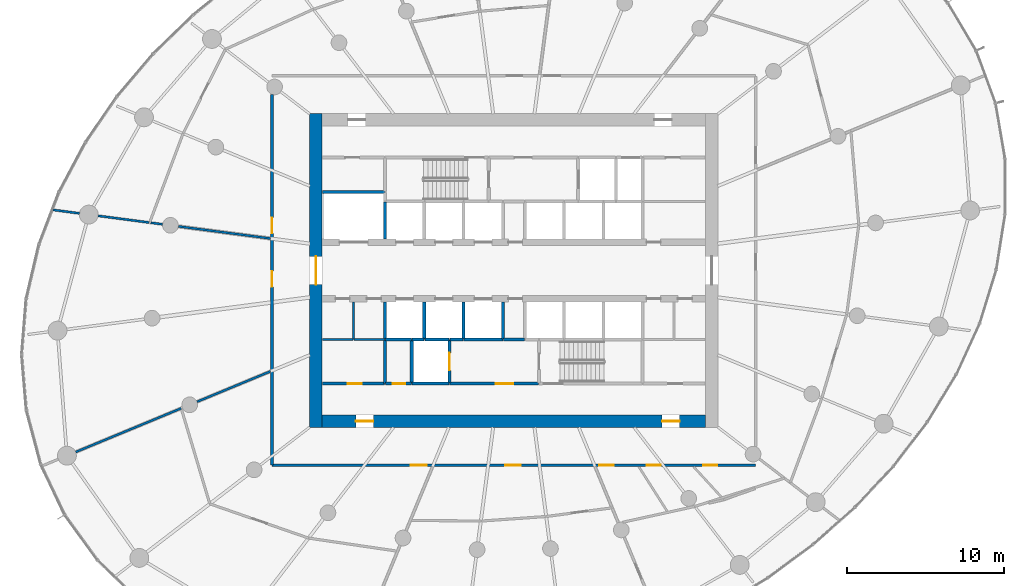
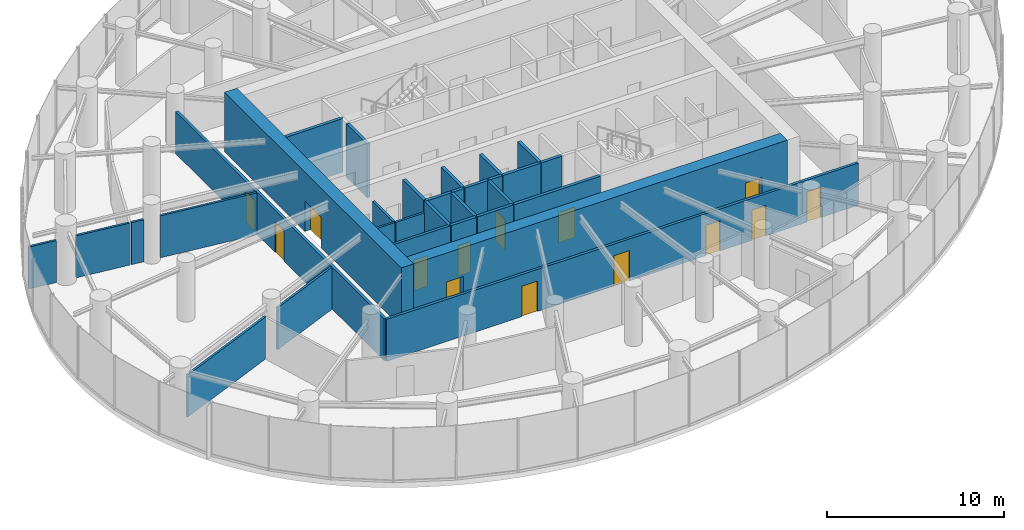
# One storey, part 10 of 17: 32 walls, 14 doors, 14 openings.
"""IFC4 building model written with IfcOpenShell, lengths in metres."""

from ifc_helpers import new_model, si_unit, direction, frame, frame_2d, origin, place, context, subcontext, project, spatial, rectangle, extrude, source, transform, mapped, material, layer, layer_set, type_object, element, fill, save


model = new_model("IFC4")

# Units and contexts
model_context = context("Model", 3, precision=1e-05, world=origin(), true_north=direction((0.0, 1.0)))
body_context = subcontext(model_context, "Body", "Model", "MODEL_VIEW")
ifc_project = project(units=[si_unit("LENGTHUNIT", "METRE"), si_unit("AREAUNIT", "SQUARE_METRE"), si_unit("VOLUMEUNIT", "CUBIC_METRE"), si_unit("PLANEANGLEUNIT", "RADIAN"), si_unit("MASSUNIT", "GRAM", prefix="KILO")], contexts=[model_context])

# Site, building, storey
site_placement = place(None, origin())
site = spatial("IfcSite", under=ifc_project, at=site_placement, CompositionType="ELEMENT")
building_placement = place(site_placement, origin())
building = spatial("IfcBuilding", under=site, at=building_placement, Name="Spindrift Exchange Tower", CompositionType="ELEMENT")
storey_placement = place(building_placement, frame((0.0, 0.0, 96.199951171875)))
storey = spatial("IfcBuildingStorey", under=building, at=storey_placement, Name="L22", CompositionType="ELEMENT", Elevation=96.199951171875)

# Wall, opening, door
ifc_material_1 = material(Name="Concrete 65 MPa", Category="concrete")
ifc_layer_1 = layer(ifc_material_1, 0.800048828125)
ifc_layer_set_1 = layer_set([ifc_layer_1], Name="RC Core Wall 800 Concrete 65 MPa")
wall_type_1 = type_object("IfcWallType", Name="RC Core Wall 800 Concrete 65 MPa", PredefinedType="SHEAR", material=ifc_layer_set_1)
wall_1_placement = place(storey_placement, frame((39.39990234375, 58.0, 0.0), z_axis=(0.0, 0.0, 1.0), x_axis=(0.0, -1.0, 0.0)))
wall_1 = element("IfcWall", 1, at=wall_1_placement, inside=storey, type_object=wall_type_1, Name="Core wall W L22", PredefinedType="SHEAR", context=body_context, shape_type="SweptSolid", body=[
    extrude(rectangle(XDim=20.0, YDim=0.800048828125, at=frame_2d((10.0, 0.0))), origin(), (0.0, 0.0, 1.0), 4.10009765625),
])
opening_1_placement = place(wall_1_placement, frame((9.10009765625, 0.0, 0.0)))
opening_1 = element("IfcOpeningElement", 2, at=opening_1_placement, cuts=wall_1, Name="Opening L22-D1", PredefinedType="OPENING", context=body_context, shape_type="SweptSolid", body=[
    extrude(rectangle(XDim=1.800048828125, YDim=2.10009765625, at=frame_2d((0.89990234375, 1.050048828125))), frame((0.0, 0.409912109375, 0.0), z_axis=(0.0, -1.0, 0.0), x_axis=(1.0, 0.0, 0.0)), (0.0, 0.0, 1.0), 0.820068359375),
])
ifc_material_2 = material(Name="Timber-core fire door", Category="wood")
door_type_1 = type_object("IfcDoorType", Name="DR-LOBBY-1800", OperationType="NOTDEFINED", PredefinedType="DOOR", material=ifc_material_2)
shared_shape_1 = source(origin(), body_context, "Body", "SweptSolid", [
    extrude(rectangle(XDim=1.800048828125, YDim=2.10009765625, at=frame_2d((0.89990234375, 1.050048828125))), frame((0.0, 0.02490234375, 0.0), z_axis=(0.0, -1.0, 0.0), x_axis=(1.0, 0.0, 0.0)), (0.0, 0.0, 1.0), 0.050048828125),
])
door_1_placement = place(opening_1_placement, origin())
door_1 = element("IfcDoor", 3, at=door_1_placement, inside=storey, type_object=door_type_1, Name="L22 Lobby door 1", OperationType="SINGLE_SWING_RIGHT", OverallHeight=2.10009765625, OverallWidth=1.800048828125, PredefinedType="DOOR", context=body_context, shape_type="MappedRepresentation", body=[
    mapped(shared_shape_1, transform((0.0, 0.0, 0.0), scale=1.0)),
])
fill(opening_1, door_1)

# Wall, openings, doors
wall_2_placement = place(storey_placement, frame((39.800048828125, 38.39990234375, 0.0), z_axis=(0.0, 0.0, 1.0), x_axis=(1.0, 0.0, 0.0)))
wall_2 = element("IfcWall", 4, at=wall_2_placement, inside=storey, type_object=wall_type_1, Name="Core wall S L22", PredefinedType="SHEAR", context=body_context, shape_type="SweptSolid", body=[
    extrude(rectangle(XDim=24.39990234375, YDim=0.800048828125, at=frame_2d((12.199951171875, 0.0))), origin(), (0.0, 0.0, 1.0), 4.10009765625),
])
opening_2_placement = place(wall_2_placement, frame((21.64990234375, 0.0, 0.0)))
opening_2 = element("IfcOpeningElement", 5, at=opening_2_placement, cuts=wall_2, Name="Opening L22-D22", PredefinedType="OPENING", context=body_context, shape_type="SweptSolid", body=[
    extrude(rectangle(XDim=1.10009765625, YDim=2.10009765625, at=frame_2d((0.550048828125, 1.050048828125))), frame((0.0, 0.409912109375, 0.0), z_axis=(0.0, -1.0, 0.0), x_axis=(1.0, 0.0, 0.0)), (0.0, 0.0, 1.0), 0.820068359375),
])
opening_3_placement = place(wall_2_placement, frame((2.14990234375, 0.0, 0.0)))
opening_3 = element("IfcOpeningElement", 6, at=opening_3_placement, cuts=wall_2, Name="Opening L22-D23", PredefinedType="OPENING", context=body_context, shape_type="SweptSolid", body=[
    extrude(rectangle(XDim=1.10009765625, YDim=2.10009765625, at=frame_2d((0.550048828125, 1.050048828125))), frame((0.0, 0.409912109375, 0.0), z_axis=(0.0, -1.0, 0.0), x_axis=(1.0, 0.0, 0.0)), (0.0, 0.0, 1.0), 0.820068359375),
])
ifc_material_3 = material(Name="Steel fire door", Category="steel")
door_type_2 = type_object("IfcDoorType", Name="DR-STAIR-1100", OperationType="NOTDEFINED", PredefinedType="DOOR", material=ifc_material_3)
shared_shape_2 = source(origin(), body_context, "Body", "SweptSolid", [
    extrude(rectangle(XDim=1.10009765625, YDim=2.10009765625, at=frame_2d((0.550048828125, 1.050048828125))), frame((0.0, 0.02490234375, 0.0), z_axis=(0.0, -1.0, 0.0), x_axis=(1.0, 0.0, 0.0)), (0.0, 0.0, 1.0), 0.050048828125),
])
door_2_placement = place(opening_2_placement, origin())
door_2 = element("IfcDoor", 7, at=door_2_placement, inside=storey, type_object=door_type_2, Name="L22 Stair door 22", OperationType="SINGLE_SWING_LEFT", OverallHeight=2.10009765625, OverallWidth=1.10009765625, PredefinedType="DOOR", context=body_context, shape_type="MappedRepresentation", body=[
    mapped(shared_shape_2, transform((0.0, 0.0, 0.0), scale=1.0)),
])
fill(opening_2, door_2)
door_3_placement = place(opening_3_placement, origin())
door_3 = element("IfcDoor", 8, at=door_3_placement, inside=storey, type_object=door_type_2, Name="L22 Stair door 23", OperationType="SINGLE_SWING_RIGHT", OverallHeight=2.10009765625, OverallWidth=1.10009765625, PredefinedType="DOOR", context=body_context, shape_type="MappedRepresentation", body=[
    mapped(shared_shape_2, transform((0.0, 0.0, 0.0), scale=1.0)),
])
fill(opening_3, door_3)

ifc_material_4 = material(Name="Fire-rated plasterboard partition", Category="gypsum")
ifc_layer_2 = layer(ifc_material_4, 0.179931640625)
ifc_layer_set_2 = layer_set([ifc_layer_2], Name="W-CORR-180")
wall_type_2 = type_object("IfcWallType", Name="W-CORR-180", PredefinedType="PARTITIONING", material=ifc_layer_set_2)
wall_3_placement = place(storey_placement, frame((67.39990234375, 35.60009765625, 0.0), z_axis=(0.0, 0.0, 1.0), x_axis=(-1.0, 0.0, 0.0)))
wall_3 = element("IfcWall", 9, at=wall_3_placement, inside=storey, type_object=wall_type_2, Name="L22 Partition wall 57", PredefinedType="PARTITIONING", context=body_context, shape_type="SweptSolid", body=[
    extrude(rectangle(XDim=30.7998046875, YDim=0.179931640625, at=frame_2d((15.39990234375, 0.0))), origin(), (0.0, 0.0, 1.0), 2.900146484375),
])
opening_4_placement = place(wall_3_placement, frame((9.050048828125, 0.0, 0.0)))
opening_4 = element("IfcOpeningElement", 10, at=opening_4_placement, cuts=wall_3, Name="Opening L22-D24", PredefinedType="OPENING", context=body_context, shape_type="SweptSolid", body=[
    extrude(rectangle(XDim=0.89990234375, YDim=2.10009765625, at=frame_2d((0.449951171875, 1.050048828125))), frame((0.0, 0.099853515625, 0.0), z_axis=(0.0, -1.0, 0.0), x_axis=(1.0, 0.0, 0.0)), (0.0, 0.0, 1.0), 0.199951171875),
])
opening_5_placement = place(wall_3_placement, frame((6.050048828125, 0.0, 0.0)))
opening_5 = element("IfcOpeningElement", 11, at=opening_5_placement, cuts=wall_3, Name="Opening L22-D25", PredefinedType="OPENING", context=body_context, shape_type="SweptSolid", body=[
    extrude(rectangle(XDim=0.89990234375, YDim=2.10009765625, at=frame_2d((0.449951171875, 1.050048828125))), frame((0.0, 0.099853515625, 0.0), z_axis=(0.0, -1.0, 0.0), x_axis=(1.0, 0.0, 0.0)), (0.0, 0.0, 1.0), 0.199951171875),
])
opening_6_placement = place(wall_3_placement, frame((2.449951171875, 0.0, 0.0)))
opening_6 = element("IfcOpeningElement", 12, at=opening_6_placement, cuts=wall_3, Name="Opening L22-D26", PredefinedType="OPENING", context=body_context, shape_type="SweptSolid", body=[
    extrude(rectangle(XDim=0.89990234375, YDim=2.10009765625, at=frame_2d((0.449951171875, 1.050048828125))), frame((0.0, 0.099853515625, 0.0), z_axis=(0.0, -1.0, 0.0), x_axis=(1.0, 0.0, 0.0)), (0.0, 0.0, 1.0), 0.199951171875),
])
opening_7_placement = place(wall_3_placement, frame((20.949951171875, 0.0, 0.0)))
opening_7 = element("IfcOpeningElement", 13, at=opening_7_placement, cuts=wall_3, Name="Opening L22-D39", PredefinedType="OPENING", context=body_context, shape_type="SweptSolid", body=[
    extrude(rectangle(XDim=1.0, YDim=2.10009765625, at=frame_2d((0.5, 1.050048828125))), frame((0.0, 0.099853515625, 0.0), z_axis=(0.0, -1.0, 0.0), x_axis=(1.0, 0.0, 0.0)), (0.0, 0.0, 1.0), 0.199951171875),
])
opening_8_placement = place(wall_3_placement, frame((14.949951171875, 0.0, 0.0)))
opening_8 = element("IfcOpeningElement", 14, at=opening_8_placement, cuts=wall_3, Name="Opening L22-D41", PredefinedType="OPENING", context=body_context, shape_type="SweptSolid", body=[
    extrude(rectangle(XDim=1.0, YDim=2.10009765625, at=frame_2d((0.5, 1.050048828125))), frame((0.0, 0.099853515625, 0.0), z_axis=(0.0, -1.0, 0.0), x_axis=(1.0, 0.0, 0.0)), (0.0, 0.0, 1.0), 0.199951171875),
])
door_type_3 = type_object("IfcDoorType", Name="DR-ROOM-1000", OperationType="NOTDEFINED", PredefinedType="DOOR", material=ifc_material_2)
shared_shape_3 = source(origin(), body_context, "Body", "SweptSolid", [
    extrude(rectangle(XDim=1.0, YDim=2.10009765625, at=frame_2d((0.5, 1.050048828125))), frame((0.0, 0.02490234375, 0.0), z_axis=(0.0, -1.0, 0.0), x_axis=(1.0, 0.0, 0.0)), (0.0, 0.0, 1.0), 0.050048828125),
])
door_4_placement = place(opening_7_placement, origin())
door_4 = element("IfcDoor", 15, at=door_4_placement, inside=storey, type_object=door_type_3, Name="L22 Door 39", OperationType="SINGLE_SWING_RIGHT", OverallHeight=2.10009765625, OverallWidth=1.0, PredefinedType="DOOR", context=body_context, shape_type="MappedRepresentation", body=[
    mapped(shared_shape_3, transform((0.0, 0.0, 0.0), scale=1.0)),
])
fill(opening_7, door_4)
door_5_placement = place(opening_8_placement, origin())
door_5 = element("IfcDoor", 16, at=door_5_placement, inside=storey, type_object=door_type_3, Name="L22 Door 41", OperationType="SINGLE_SWING_RIGHT", OverallHeight=2.10009765625, OverallWidth=1.0, PredefinedType="DOOR", context=body_context, shape_type="MappedRepresentation", body=[
    mapped(shared_shape_3, transform((0.0, 0.0, 0.0), scale=1.0)),
])
fill(opening_8, door_5)
ifc_material_5 = material(Name="Laminate washroom door", Category="wood")
door_type_4 = type_object("IfcDoorType", Name="DR-WC-900", OperationType="NOTDEFINED", PredefinedType="DOOR", material=ifc_material_5)
shared_shape_4 = source(origin(), body_context, "Body", "SweptSolid", [
    extrude(rectangle(XDim=0.89990234375, YDim=2.10009765625, at=frame_2d((0.449951171875, 1.050048828125))), frame((0.0, 0.02490234375, 0.0), z_axis=(0.0, -1.0, 0.0), x_axis=(1.0, 0.0, 0.0)), (0.0, 0.0, 1.0), 0.050048828125),
])
door_6_placement = place(opening_4_placement, origin())
door_6 = element("IfcDoor", 17, at=door_6_placement, inside=storey, type_object=door_type_4, Name="L22 WC door 24", OperationType="SINGLE_SWING_LEFT", OverallHeight=2.10009765625, OverallWidth=0.89990234375, PredefinedType="DOOR", context=body_context, shape_type="MappedRepresentation", body=[
    mapped(shared_shape_4, transform((0.0, 0.0, 0.0), scale=1.0)),
])
fill(opening_4, door_6)
door_7_placement = place(opening_5_placement, origin())
door_7 = element("IfcDoor", 18, at=door_7_placement, inside=storey, type_object=door_type_4, Name="L22 WC door 25", OperationType="SINGLE_SWING_RIGHT", OverallHeight=2.10009765625, OverallWidth=0.89990234375, PredefinedType="DOOR", context=body_context, shape_type="MappedRepresentation", body=[
    mapped(shared_shape_4, transform((0.0, 0.0, 0.0), scale=1.0)),
])
fill(opening_5, door_7)
door_8_placement = place(opening_6_placement, origin())
door_8 = element("IfcDoor", 19, at=door_8_placement, inside=storey, type_object=door_type_4, Name="L22 WC door 26", OperationType="SINGLE_SWING_LEFT", OverallHeight=2.10009765625, OverallWidth=0.89990234375, PredefinedType="DOOR", context=body_context, shape_type="MappedRepresentation", body=[
    mapped(shared_shape_4, transform((0.0, 0.0, 0.0), scale=1.0)),
])
fill(opening_6, door_8)

# Wall, opening, door
wall_4_placement = place(storey_placement, frame((39.820068359375, 40.800048828125, 0.0), z_axis=(0.0, 0.0, 1.0), x_axis=(1.0, 0.0, 0.0)))
wall_4 = element("IfcWall", 20, at=wall_4_placement, inside=storey, type_object=wall_type_2, Name="L22 Partition wall 63", PredefinedType="PARTITIONING", context=body_context, shape_type="SweptSolid", body=[
    extrude(rectangle(XDim=3.949951171875, YDim=0.179931640625, at=frame_2d((1.97509765625, 0.0))), origin(), (0.0, 0.0, 1.0), 3.699951171875),
])
opening_9_placement = place(wall_4_placement, frame((1.60009765625, 0.0, 0.0)))
opening_9 = element("IfcOpeningElement", 21, at=opening_9_placement, cuts=wall_4, Name="Opening L22-D44", PredefinedType="OPENING", context=body_context, shape_type="SweptSolid", body=[
    extrude(rectangle(XDim=0.89990234375, YDim=2.10009765625, at=frame_2d((0.449951171875, 1.050048828125))), frame((0.0, 0.099853515625, 0.0), z_axis=(0.0, -1.0, 0.0), x_axis=(1.0, 0.0, 0.0)), (0.0, 0.0, 1.0), 0.199951171875),
])
ifc_material_6 = material(Name="Steel access door", Category="steel")
door_type_5 = type_object("IfcDoorType", Name="DR-RISER-900", OperationType="NOTDEFINED", PredefinedType="DOOR", material=ifc_material_6)
shared_shape_5 = source(origin(), body_context, "Body", "SweptSolid", [
    extrude(rectangle(XDim=0.89990234375, YDim=2.10009765625, at=frame_2d((0.449951171875, 1.050048828125))), frame((0.0, 0.02490234375, 0.0), z_axis=(0.0, -1.0, 0.0), x_axis=(1.0, 0.0, 0.0)), (0.0, 0.0, 1.0), 0.050048828125),
])
door_9_placement = place(opening_9_placement, origin())
door_9 = element("IfcDoor", 22, at=door_9_placement, inside=storey, type_object=door_type_5, Name="L22 Riser door 44", OperationType="SINGLE_SWING_LEFT", OverallHeight=2.10009765625, OverallWidth=0.89990234375, PredefinedType="DOOR", context=body_context, shape_type="MappedRepresentation", body=[
    mapped(shared_shape_5, transform((0.0, 0.0, 0.0), scale=1.0)),
])
fill(opening_9, door_9)

# Walls
ifc_layer_3 = layer(ifc_material_4, 0.139892578125)
ifc_layer_set_3 = layer_set([ifc_layer_3], Name="W-PART-140")
wall_type_3 = type_object("IfcWallType", Name="W-PART-140", PredefinedType="PARTITIONING", material=ifc_layer_set_3)
wall_5_placement = place(storey_placement, frame((41.800048828125, 43.60009765625, 0.0), z_axis=(0.0, 0.0, 1.0), x_axis=(0.0, 1.0, 0.0)))
element("IfcWall", 23, at=wall_5_placement, inside=storey, type_object=wall_type_3, Name="L22 Partition wall 106", PredefinedType="PARTITIONING", context=body_context, shape_type="SweptSolid", body=[
    extrude(rectangle(XDim=2.389892578125, YDim=0.139892578125, at=frame_2d((1.19482421875, 0.0))), origin(), (0.0, 0.0, 1.0), 2.900146484375),
])
wall_6_placement = place(storey_placement, frame((43.77001953125, 43.60009765625, 0.0), z_axis=(0.0, 0.0, 1.0), x_axis=(-1.0, 0.0, 0.0)))
element("IfcWall", 24, at=wall_6_placement, inside=storey, type_object=wall_type_3, Name="L22 Partition wall 108", PredefinedType="PARTITIONING", context=body_context, shape_type="SweptSolid", body=[
    extrude(rectangle(XDim=1.93994140625, YDim=0.139892578125, at=frame_2d((0.969970703125, 0.0))), origin(), (0.0, 0.0, 1.0), 2.900146484375),
])
wall_7_placement = place(storey_placement, frame((41.77001953125, 43.60009765625, 0.0), z_axis=(0.0, 0.0, 1.0), x_axis=(-1.0, 0.0, 0.0)))
element("IfcWall", 25, at=wall_7_placement, inside=storey, type_object=wall_type_3, Name="L22 Partition wall 111", PredefinedType="PARTITIONING", context=body_context, shape_type="SweptSolid", body=[
    extrude(rectangle(XDim=1.949951171875, YDim=0.139892578125, at=frame_2d((0.97509765625, 0.0))), origin(), (0.0, 0.0, 1.0), 2.900146484375),
])
ifc_layer_4 = layer(ifc_material_4, 0.139892578125)
ifc_layer_set_4 = layer_set([ifc_layer_4], Name="W-PLANT-140")
wall_type_4 = type_object("IfcWallType", Name="W-PLANT-140", PredefinedType="PARTITIONING", material=ifc_layer_set_4)
wall_8_placement = place(storey_placement, frame((30.8203125, 39.22705078125, 0.0), z_axis=(0.0, 0.0, 1.0), x_axis=(-0.923877674765, -0.382687917331, 0.0)))
element("IfcWall", 26, at=wall_8_placement, inside=storey, type_object=wall_type_4, Name="L22 Partition wall 65", PredefinedType="PARTITIONING", context=body_context, shape_type="SweptSolid", body=[
    extrude(rectangle(XDim=7.270263671875, YDim=0.139892578125, at=frame_2d((3.63525390625, 0.0))), origin(), (0.0, 0.0, 1.0), 2.900146484375),
])
wall_9_placement = place(storey_placement, frame((36.510009765625, 50.039306640625, 0.0), z_axis=(0.0, 0.0, 1.0), x_axis=(-0.991445034615, 0.130524876315, 0.0)))
element("IfcWall", 27, at=wall_9_placement, inside=storey, type_object=wall_type_4, Name="L22 Partition wall 75", PredefinedType="PARTITIONING", context=body_context, shape_type="SweptSolid", body=[
    extrude(rectangle(XDim=5.923828125, YDim=0.139892578125, at=frame_2d((2.9619140625, 0.0))), origin(), (0.0, 0.0, 1.0), 2.900146484375),
])
wall_10_placement = place(storey_placement, frame((36.510009765625, 41.583740234375, 0.0), z_axis=(0.0, 0.0, 1.0), x_axis=(-0.923890025086, -0.382658100067, 0.0)))
element("IfcWall", 28, at=wall_10_placement, inside=storey, type_object=wall_type_4, Name="L22 Partition wall 85", PredefinedType="PARTITIONING", context=body_context, shape_type="SweptSolid", body=[
    extrude(rectangle(XDim=5.068359375, YDim=0.139892578125, at=frame_2d((2.5341796875, 0.0))), origin(), (0.0, 0.0, 1.0), 2.900146484375),
])
wall_11_placement = place(storey_placement, frame((28.8828125, 51.04345703125, 0.0), z_axis=(0.0, 0.0, 1.0), x_axis=(0.991425859851, -0.130670442021, 0.0)))
element("IfcWall", 29, at=wall_11_placement, inside=storey, type_object=wall_type_4, Name="L22 Partition wall 97", PredefinedType="PARTITIONING", context=body_context, shape_type="SweptSolid", body=[
    extrude(rectangle(XDim=0.760498046875, YDim=0.139892578125, at=frame_2d((0.38037109375, 0.0))), origin(), (0.0, 0.0, 1.0), 2.900146484375),
])
wall_12_placement = place(storey_placement, frame((25.53466796875, 51.484130859375, 0.0), z_axis=(0.0, 0.0, 1.0), x_axis=(0.991444651245, -0.130527788296, 0.0)))
element("IfcWall", 30, at=wall_12_placement, inside=storey, type_object=wall_type_4, Name="L22 Partition wall 98", PredefinedType="PARTITIONING", context=body_context, shape_type="SweptSolid", body=[
    extrude(rectangle(XDim=3.275146484375, YDim=0.139892578125, at=frame_2d((1.6376953125, 0.0))), origin(), (0.0, 0.0, 1.0), 2.900146484375),
])
wall_13_placement = place(storey_placement, frame((24.336181640625, 51.64208984375, 0.0), z_axis=(0.0, 0.0, 1.0), x_axis=(-0.991440556446, 0.13055888723, 0.0)))
element("IfcWall", 31, at=wall_13_placement, inside=storey, type_object=wall_type_4, Name="L22 Partition wall 113", PredefinedType="PARTITIONING", context=body_context, shape_type="SweptSolid", body=[
    extrude(rectangle(XDim=1.694091796875, YDim=0.139892578125, at=frame_2d((0.84716796875, 0.0))), origin(), (0.0, 0.0, 1.0), 2.900146484375),
])

# Wall, openings, doors
ifc_layer_5 = layer(ifc_material_4, 0.179931640625)
ifc_layer_set_5 = layer_set([ifc_layer_5], Name="W-PLANT-180")
wall_type_5 = type_object("IfcWallType", Name="W-PLANT-180", PredefinedType="PARTITIONING", material=ifc_layer_set_5)
wall_14_placement = place(storey_placement, frame((36.60009765625, 35.6298828125, 0.0), z_axis=(0.0, 0.0, 1.0), x_axis=(0.0, 1.0, 0.0)))
wall_14 = element("IfcWall", 32, at=wall_14_placement, inside=storey, type_object=wall_type_5, Name="L22 Partition wall 60", PredefinedType="PARTITIONING", context=body_context, shape_type="SweptSolid", body=[
    extrude(rectangle(XDim=23.58251953125, YDim=0.179931640625, at=frame_2d((11.791259765625, 0.0))), origin(), (0.0, 0.0, 1.0), 2.900146484375),
])
opening_10_placement = place(wall_14_placement, frame((14.732421875, 0.0, 0.0)))
opening_10 = element("IfcOpeningElement", 33, at=opening_10_placement, cuts=wall_14, Name="Opening L22-D36", PredefinedType="OPENING", context=body_context, shape_type="SweptSolid", body=[
    extrude(rectangle(XDim=1.0, YDim=2.10009765625, at=frame_2d((0.5, 1.050048828125))), frame((0.0, 0.099853515625, 0.0), z_axis=(0.0, -1.0, 0.0), x_axis=(1.0, 0.0, 0.0)), (0.0, 0.0, 1.0), 0.199951171875),
])
opening_11_placement = place(wall_14_placement, frame((11.33251953125, 0.0, 0.0)))
opening_11 = element("IfcOpeningElement", 34, at=opening_11_placement, cuts=wall_14, Name="Opening L22-D38", PredefinedType="OPENING", context=body_context, shape_type="SweptSolid", body=[
    extrude(rectangle(XDim=1.0, YDim=2.10009765625, at=frame_2d((0.5, 1.050048828125))), frame((0.0, 0.099853515625, 0.0), z_axis=(0.0, -1.0, 0.0), x_axis=(1.0, 0.0, 0.0)), (0.0, 0.0, 1.0), 0.199951171875),
])
door_10_placement = place(opening_10_placement, origin())
door_10 = element("IfcDoor", 35, at=door_10_placement, inside=storey, type_object=door_type_3, Name="L22 Door 36", OperationType="SINGLE_SWING_LEFT", OverallHeight=2.10009765625, OverallWidth=1.0, PredefinedType="DOOR", context=body_context, shape_type="MappedRepresentation", body=[
    mapped(shared_shape_3, transform((0.0, 0.0, 0.0), scale=1.0)),
])
fill(opening_10, door_10)
door_11_placement = place(opening_11_placement, origin())
door_11 = element("IfcDoor", 36, at=door_11_placement, inside=storey, type_object=door_type_3, Name="L22 Door 38", OperationType="SINGLE_SWING_LEFT", OverallHeight=2.10009765625, OverallWidth=1.0, PredefinedType="DOOR", context=body_context, shape_type="MappedRepresentation", body=[
    mapped(shared_shape_3, transform((0.0, 0.0, 0.0), scale=1.0)),
])
fill(opening_11, door_11)

# Walls
ifc_material_7 = material(Name="Concrete 40 MPa", Category="concrete")
ifc_layer_6 = layer(ifc_material_7, 0.199951171875)
ifc_layer_set_6 = layer_set([ifc_layer_6], Name="W-SHAFT-200")
wall_type_6 = type_object("IfcWallType", Name="W-SHAFT-200", PredefinedType="SOLIDWALL", material=ifc_layer_set_6)
for number, where, z_axis, x_axis, name in (
    (37, (43.800048828125, 43.60009765625, 0.0), (0.0, 0.0, 1.0), (0.0, -1.0, 0.0), "L22 Shaft wall 6"),
    (38, (45.5, 43.60009765625, 0.0), (0.0, 0.0, 1.0), (0.0, -1.0, 0.0), "L22 Shaft wall 7"),
):
    element("IfcWall", number, at=place(storey_placement, frame(where, z_axis=z_axis, x_axis=x_axis)), inside=storey, type_object=wall_type_6, Name=name, PredefinedType="SOLIDWALL", context=body_context, shape_type="SweptSolid", body=[
        extrude(rectangle(XDim=2.800048828125, YDim=0.199951171875, at=frame_2d((1.39990234375, 0.0))), origin(), (0.0, 0.0, 1.0), 3.699951171875),
    ])

# Wall, opening, door
wall_15_placement = place(storey_placement, frame((47.89990234375, 40.830078125, 0.0), z_axis=(0.0, 0.0, 1.0), x_axis=(0.0, 1.0, 0.0)))
wall_15 = element("IfcWall", 39, at=wall_15_placement, inside=storey, type_object=wall_type_6, Name="L22 Shaft wall 8", PredefinedType="SOLIDWALL", context=body_context, shape_type="SweptSolid", body=[
    extrude(rectangle(XDim=2.77001953125, YDim=0.199951171875, at=frame_2d((1.385009765625, 0.0))), origin(), (0.0, 0.0, 1.0), 3.699951171875),
])
opening_12_placement = place(wall_15_placement, frame((0.820068359375, 0.0, 0.0)))
opening_12 = element("IfcOpeningElement", 40, at=opening_12_placement, cuts=wall_15, Name="Opening L22-D10", PredefinedType="OPENING", context=body_context, shape_type="SweptSolid", body=[
    extrude(rectangle(XDim=1.10009765625, YDim=2.10009765625, at=frame_2d((0.550048828125, 1.050048828125))), frame((0.0, 0.10986328125, 0.0), z_axis=(0.0, -1.0, 0.0), x_axis=(1.0, 0.0, 0.0)), (0.0, 0.0, 1.0), 0.219970703125),
])
ifc_material_8 = material(Name="Stainless steel landing door", Category="steel")
door_type_6 = type_object("IfcDoorType", Name="DR-LANDING-1100-SL", OperationType="DOUBLE_DOOR_SLIDING", PredefinedType="USERDEFINED", material=ifc_material_8)
shared_shape_6 = source(origin(), body_context, "Body", "SweptSolid", [
    extrude(rectangle(XDim=1.10009765625, YDim=2.10009765625, at=frame_2d((0.550048828125, 1.050048828125))), frame((0.0, 0.02490234375, 0.0), z_axis=(0.0, -1.0, 0.0), x_axis=(1.0, 0.0, 0.0)), (0.0, 0.0, 1.0), 0.050048828125),
])
door_12_placement = place(opening_12_placement, origin())
door_12 = element("IfcDoor", 41, at=door_12_placement, inside=storey, type_object=door_type_6, Name="L22 Lift landing door 10", ObjectType="LANDING DOOR", OperationType="DOUBLE_DOOR_SLIDING", OverallHeight=2.10009765625, OverallWidth=1.10009765625, PredefinedType="USERDEFINED", context=body_context, shape_type="MappedRepresentation", body=[
    mapped(shared_shape_6, transform((0.0, 0.0, 0.0), scale=1.0)),
])
fill(opening_12, door_12)

# Walls
wall_16_placement = place(storey_placement, frame((48.800048828125, 43.60009765625, 0.0), z_axis=(0.0, 0.0, 1.0), x_axis=(1.0, 0.0, 0.0)))
element("IfcWall", 42, at=wall_16_placement, inside=storey, type_object=wall_type_6, Name="L22 Shaft wall 17", PredefinedType="SOLIDWALL", context=body_context, shape_type="SweptSolid", body=[
    extrude(rectangle(XDim=2.5, YDim=0.199951171875, at=frame_2d((1.25, 0.0))), origin(), (0.0, 0.0, 1.0), 3.699951171875),
])
wall_17_placement = place(storey_placement, frame((45.530029296875, 40.800048828125, 0.0), z_axis=(0.0, 0.0, 1.0), x_axis=(1.0, 0.0, 0.0)))
element("IfcWall", 43, at=wall_17_placement, inside=storey, type_object=wall_type_6, Name="L22 Shaft wall 21", PredefinedType="SOLIDWALL", context=body_context, shape_type="SweptSolid", body=[
    extrude(rectangle(XDim=2.340087890625, YDim=0.199951171875, at=frame_2d((1.169921875, 0.0))), origin(), (0.0, 0.0, 1.0), 3.699951171875),
])
wall_18_placement = place(storey_placement, frame((43.800048828125, 45.989990234375, 0.0), z_axis=(0.0, 0.0, 1.0), x_axis=(0.0, -1.0, 0.0)))
element("IfcWall", 44, at=wall_18_placement, inside=storey, type_object=wall_type_6, Name="L22 Shaft wall 23", PredefinedType="SOLIDWALL", context=body_context, shape_type="SweptSolid", body=[
    extrude(rectangle(XDim=2.360107421875, YDim=0.199951171875, at=frame_2d((1.18017578125, 0.0))), origin(), (0.0, 0.0, 1.0), 3.699951171875),
])
wall_19_placement = place(storey_placement, frame((46.300048828125, 43.60009765625, 0.0), z_axis=(0.0, 0.0, 1.0), x_axis=(0.0, 1.0, 0.0)))
element("IfcWall", 45, at=wall_19_placement, inside=storey, type_object=wall_type_6, Name="L22 Shaft wall 25", PredefinedType="SOLIDWALL", context=body_context, shape_type="SweptSolid", body=[
    extrude(rectangle(XDim=2.389892578125, YDim=0.199951171875, at=frame_2d((1.19482421875, 0.0))), origin(), (0.0, 0.0, 1.0), 3.699951171875),
])
for number, where, z_axis, x_axis, name in (
    (46, (48.800048828125, 43.6298828125, 0.0), (0.0, 0.0, 1.0), (0.0, 1.0, 0.0), "L22 Shaft wall 27"),
    (47, (51.300048828125, 43.6298828125, 0.0), (0.0, 0.0, 1.0), (0.0, 1.0, 0.0), "L22 Shaft wall 29"),
):
    element("IfcWall", number, at=place(storey_placement, frame(where, z_axis=z_axis, x_axis=x_axis)), inside=storey, type_object=wall_type_6, Name=name, PredefinedType="SOLIDWALL", context=body_context, shape_type="SweptSolid", body=[
        extrude(rectangle(XDim=2.360107421875, YDim=0.199951171875, at=frame_2d((1.18017578125, 0.0))), origin(), (0.0, 0.0, 1.0), 3.699951171875),
    ])
wall_20_placement = place(storey_placement, frame((43.830078125, 43.60009765625, 0.0), z_axis=(0.0, 0.0, 1.0), x_axis=(1.0, 0.0, 0.0)))
element("IfcWall", 48, at=wall_20_placement, inside=storey, type_object=wall_type_6, Name="L22 Shaft wall 40", PredefinedType="SOLIDWALL", context=body_context, shape_type="SweptSolid", body=[
    extrude(rectangle(XDim=1.639892578125, YDim=0.199951171875, at=frame_2d((0.81982421875, 0.0))), origin(), (0.0, 0.0, 1.0), 3.699951171875),
])

# Wall, opening, door
wall_21_placement = place(storey_placement, frame((43.830078125, 40.800048828125, 0.0), z_axis=(0.0, 0.0, 1.0), x_axis=(1.0, 0.0, 0.0)))
wall_21 = element("IfcWall", 49, at=wall_21_placement, inside=storey, type_object=wall_type_6, Name="L22 Shaft wall 41", PredefinedType="SOLIDWALL", context=body_context, shape_type="SweptSolid", body=[
    extrude(rectangle(XDim=1.639892578125, YDim=0.199951171875, at=frame_2d((0.81982421875, 0.0))), origin(), (0.0, 0.0, 1.0), 3.699951171875),
])
opening_13_placement = place(wall_21_placement, frame((0.469970703125, 0.0, 0.0)))
opening_13 = element("IfcOpeningElement", 50, at=opening_13_placement, cuts=wall_21, Name="Opening L22-D19", PredefinedType="OPENING", context=body_context, shape_type="SweptSolid", body=[
    extrude(rectangle(XDim=0.800048828125, YDim=2.10009765625, at=frame_2d((0.39990234375, 1.050048828125))), frame((0.0, 0.10986328125, 0.0), z_axis=(0.0, -1.0, 0.0), x_axis=(1.0, 0.0, 0.0)), (0.0, 0.0, 1.0), 0.219970703125),
])
door_type_7 = type_object("IfcDoorType", Name="DR-RISER-800", OperationType="NOTDEFINED", PredefinedType="DOOR", material=ifc_material_6)
shared_shape_7 = source(origin(), body_context, "Body", "SweptSolid", [
    extrude(rectangle(XDim=0.800048828125, YDim=2.10009765625, at=frame_2d((0.39990234375, 1.050048828125))), frame((0.0, 0.02490234375, 0.0), z_axis=(0.0, -1.0, 0.0), x_axis=(1.0, 0.0, 0.0)), (0.0, 0.0, 1.0), 0.050048828125),
])
door_13_placement = place(opening_13_placement, origin())
door_13 = element("IfcDoor", 51, at=door_13_placement, inside=storey, type_object=door_type_7, Name="L22 Riser door 19", OperationType="SINGLE_SWING_RIGHT", OverallHeight=2.10009765625, OverallWidth=0.800048828125, PredefinedType="DOOR", context=body_context, shape_type="MappedRepresentation", body=[
    mapped(shared_shape_7, transform((0.0, 0.0, 0.0), scale=1.0)),
])
fill(opening_13, door_13)

# Walls
wall_22_placement = place(storey_placement, frame((46.330078125, 43.60009765625, 0.0), z_axis=(0.0, 0.0, 1.0), x_axis=(1.0, 0.0, 0.0)))
element("IfcWall", 52, at=wall_22_placement, inside=storey, type_object=wall_type_6, Name="L22 Shaft wall 44", PredefinedType="SOLIDWALL", context=body_context, shape_type="SweptSolid", body=[
    extrude(rectangle(XDim=1.5400390625, YDim=0.199951171875, at=frame_2d((0.77001953125, 0.0))), origin(), (0.0, 0.0, 1.0), 3.699951171875),
])
wall_23_placement = place(storey_placement, frame((52.669921875, 43.60009765625, 0.0), z_axis=(0.0, 0.0, 1.0), x_axis=(-1.0, 0.0, 0.0)))
element("IfcWall", 53, at=wall_23_placement, inside=storey, type_object=wall_type_6, Name="L22 Shaft wall 48", PredefinedType="SOLIDWALL", context=body_context, shape_type="SweptSolid", body=[
    extrude(rectangle(XDim=1.33984375, YDim=0.199951171875, at=frame_2d((0.669921875, 0.0))), origin(), (0.0, 0.0, 1.0), 3.699951171875),
])
wall_24_placement = place(storey_placement, frame((47.929931640625, 43.60009765625, 0.0), z_axis=(0.0, 0.0, 1.0), x_axis=(1.0, 0.0, 0.0)))
element("IfcWall", 54, at=wall_24_placement, inside=storey, type_object=wall_type_6, Name="L22 Shaft wall 50", PredefinedType="SOLIDWALL", context=body_context, shape_type="SweptSolid", body=[
    extrude(rectangle(XDim=0.840087890625, YDim=0.199951171875, at=frame_2d((0.419921875, 0.0))), origin(), (0.0, 0.0, 1.0), 3.699951171875),
])
wall_25_placement = place(storey_placement, frame((45.530029296875, 43.60009765625, 0.0), z_axis=(0.0, 0.0, 1.0), x_axis=(1.0, 0.0, 0.0)))
element("IfcWall", 55, at=wall_25_placement, inside=storey, type_object=wall_type_6, Name="L22 Shaft wall 54", PredefinedType="SOLIDWALL", context=body_context, shape_type="SweptSolid", body=[
    extrude(rectangle(XDim=0.739990234375, YDim=0.199951171875, at=frame_2d((0.3701171875, 0.0))), origin(), (0.0, 0.0, 1.0), 3.699951171875),
])

# Wall, opening, door
ifc_layer_7 = layer(ifc_material_7, 0.199951171875)
ifc_layer_set_7 = layer_set([ifc_layer_7], Name="W-SHAFT-200-LB")
wall_type_7 = type_object("IfcWallType", Name="W-SHAFT-200-LB", PredefinedType="SOLIDWALL", material=ifc_layer_set_7)
wall_26_placement = place(storey_placement, frame((47.89990234375, 40.800048828125, 0.0), z_axis=(0.0, 0.0, 1.0), x_axis=(1.0, 0.0, 0.0)))
wall_26 = element("IfcWall", 56, at=wall_26_placement, inside=storey, type_object=wall_type_7, Name="L22 Shaft wall 3", PredefinedType="SOLIDWALL", context=body_context, shape_type="SweptSolid", body=[
    extrude(rectangle(XDim=5.670166015625, YDim=0.199951171875, at=frame_2d((2.8349609375, 0.0))), origin(), (0.0, 0.0, 1.0), 3.699951171875),
])
opening_14_placement = place(wall_26_placement, frame((2.949951171875, 0.0, 0.0)))
opening_14 = element("IfcOpeningElement", 57, at=opening_14_placement, cuts=wall_26, Name="Opening L22-D18", PredefinedType="OPENING", context=body_context, shape_type="SweptSolid", body=[
    extrude(rectangle(XDim=1.10009765625, YDim=2.10009765625, at=frame_2d((0.550048828125, 1.050048828125))), frame((0.0, 0.10986328125, 0.0), z_axis=(0.0, -1.0, 0.0), x_axis=(1.0, 0.0, 0.0)), (0.0, 0.0, 1.0), 0.219970703125),
])
door_type_8 = type_object("IfcDoorType", Name="DR-LOBBY-1100", OperationType="NOTDEFINED", PredefinedType="DOOR", material=ifc_material_2)
shared_shape_8 = source(origin(), body_context, "Body", "SweptSolid", [
    extrude(rectangle(XDim=1.10009765625, YDim=2.10009765625, at=frame_2d((0.550048828125, 1.050048828125))), frame((0.0, 0.02490234375, 0.0), z_axis=(0.0, -1.0, 0.0), x_axis=(1.0, 0.0, 0.0)), (0.0, 0.0, 1.0), 0.050048828125),
])
door_14_placement = place(opening_14_placement, origin())
door_14 = element("IfcDoor", 58, at=door_14_placement, inside=storey, type_object=door_type_8, Name="L22 Lobby door 18", OperationType="SINGLE_SWING_LEFT", OverallHeight=2.10009765625, OverallWidth=1.10009765625, PredefinedType="DOOR", context=body_context, shape_type="MappedRepresentation", body=[
    mapped(shared_shape_8, transform((0.0, 0.0, 0.0), scale=1.0)),
])
fill(opening_14, door_14)

# Walls
wall_27_placement = place(storey_placement, frame((43.800048828125, 53.0, 0.0), z_axis=(0.0, 0.0, 1.0), x_axis=(-1.0, 0.0, 0.0)))
element("IfcWall", 59, at=wall_27_placement, inside=storey, type_object=wall_type_7, Name="L22 Shaft wall 5", PredefinedType="SOLIDWALL", context=body_context, shape_type="SweptSolid", body=[
    extrude(rectangle(XDim=3.97998046875, YDim=0.199951171875, at=frame_2d((1.989990234375, 0.0))), origin(), (0.0, 0.0, 1.0), 3.699951171875),
])
wall_28_placement = place(storey_placement, frame((43.800048828125, 52.3701171875, 0.0), z_axis=(0.0, 0.0, 1.0), x_axis=(0.0, -1.0, 0.0)))
element("IfcWall", 60, at=wall_28_placement, inside=storey, type_object=wall_type_7, Name="L22 Shaft wall 24", PredefinedType="SOLIDWALL", context=body_context, shape_type="SweptSolid", body=[
    extrude(rectangle(XDim=2.360107421875, YDim=0.199951171875, at=frame_2d((1.18017578125, 0.0))), origin(), (0.0, 0.0, 1.0), 3.699951171875),
])

save(model, "model.ifc")
